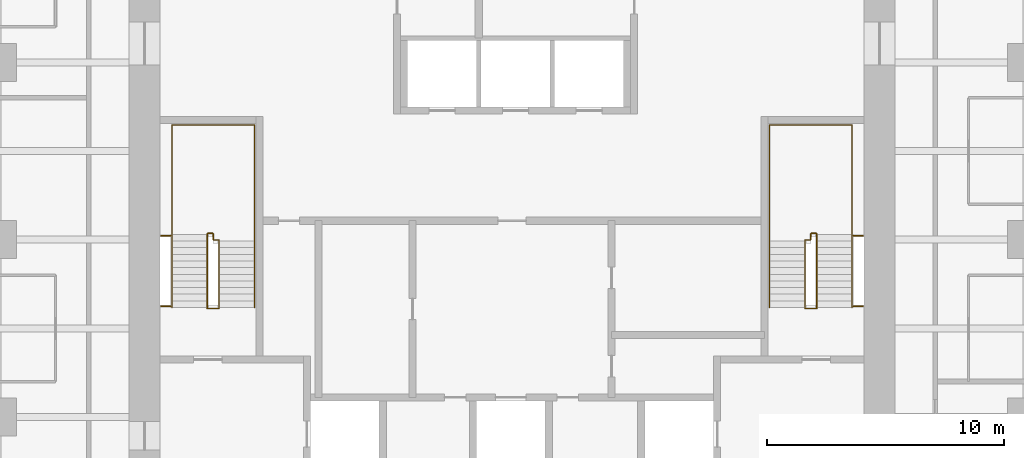
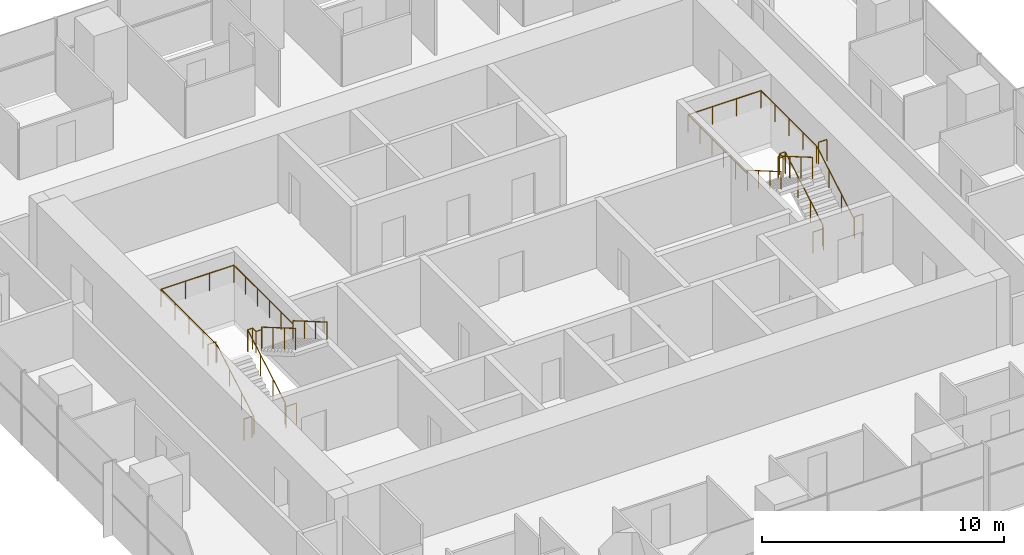
# One storey, part 13 of 13: 8 railings.
"""IFC4 building model written with IfcOpenShell, lengths in metres."""

from ifc_helpers import new_model, si_unit, direction, frame, origin, origin_2d, place, context, subcontext, project, spatial, circle, extrude, material, type_object, element, save


model = new_model("IFC4")

# Units and contexts
model_context = context("Model", 3, precision=1e-05, world=origin(), true_north=direction((0.0, 1.0)))
body_context = subcontext(model_context, "Body", "Model", "MODEL_VIEW")
ifc_project = project(units=[si_unit("LENGTHUNIT", "METRE"), si_unit("AREAUNIT", "SQUARE_METRE"), si_unit("VOLUMEUNIT", "CUBIC_METRE"), si_unit("PLANEANGLEUNIT", "RADIAN"), si_unit("MASSUNIT", "GRAM", prefix="KILO")], contexts=[model_context])

# Site, building, storey
site_placement = place(None, origin())
site = spatial("IfcSite", under=ifc_project, at=site_placement, CompositionType="ELEMENT")
building_placement = place(site_placement, origin())
building = spatial("IfcBuilding", under=site, at=building_placement, Name="Khuree Lantern Residences", CompositionType="ELEMENT")
storey_placement = place(building_placement, frame((0.0, 0.0, 349.5)))
storey = spatial("IfcBuildingStorey", under=building, at=storey_placement, Name="L88", CompositionType="ELEMENT", Elevation=349.5)

# Railings
ifc_material = material(Name="Steel S355", Category="steel")
railing_type_1 = type_object("IfcRailingType", Name="STAIR GUARD G1 1100", PredefinedType="GUARDRAIL", material=ifc_material)
railing_1_placement = place(storey_placement, frame((-12.35009765625, -2.909912109375, 0.0)))
element("IfcRailing", 1, at=railing_1_placement, inside=storey, type_object=railing_type_1, Name="Stair ST1 guard", PredefinedType="GUARDRAIL", context=body_context, shape_type="SweptSolid", body=[
    extrude(circle(Radius=0.02392578125, at=origin_2d()), frame((0.0, 0.0, 1.076171875), z_axis=(-1.0, 0.0, 0.0), x_axis=(0.0, -1.0, 0.0)), (0.0, 0.0, 1.0), 0.5),
    extrude(circle(Radius=0.02392578125, at=origin_2d()), frame((-0.5, 0.0, 1.076171875), z_axis=(0.0, 0.292073035251, 0.95639601739), x_axis=(-1.0, 0.0, 0.0)), (0.0, 0.0, 1.0), 0.17041015625),
    extrude(circle(Radius=0.02392578125, at=origin_2d()), frame((-0.5, 0.0498046875, 1.2392578125), z_axis=(0.0, 0.864176135923, 0.503189433615), x_axis=(-1.0, 0.0, 0.0)), (0.0, 0.0, 1.0), 3.564208984375),
    extrude(circle(Radius=0.02392578125, at=origin_2d()), frame((-0.5, 3.1298828125, 3.03271484375), z_axis=(0.0, 1.0, 0.0), x_axis=(-1.0, 0.0, 0.0)), (0.0, 0.0, 1.0), 0.050048828125),
    extrude(circle(Radius=0.02392578125, at=origin_2d()), frame((-0.5, 3.179931640625, 3.03271484375), z_axis=(1.0, 0.0, 0.0), x_axis=(0.0, 1.0, 0.0)), (0.0, 0.0, 1.0), 0.25),
    extrude(circle(Radius=0.02392578125, at=origin_2d()), frame((-0.25, 3.179931640625, 3.03271484375), z_axis=(0.0, -1.0, 0.0), x_axis=(1.0, 0.0, 0.0)), (0.0, 0.0, 1.0), 0.280029296875),
    extrude(circle(Radius=0.02392578125, at=origin_2d()), frame((-0.25, 2.89990234375, 3.03271484375), z_axis=(1.0, 0.0, 0.0), x_axis=(0.0, 1.0, 0.0)), (0.0, 0.0, 1.0), 0.25),
    extrude(circle(Radius=0.02392578125, at=origin_2d()), frame((0.0, 2.89990234375, 3.03271484375), z_axis=(0.0, -0.293381807449, 0.955995353053), x_axis=(1.0, 0.0, 0.0)), (0.0, 0.0, 1.0), 0.170654296875),
    extrude(circle(Radius=0.02392578125, at=origin_2d()), frame((0.0, 2.849853515625, 3.19580078125), z_axis=(0.0, -0.864180358799, 0.503182181189), x_axis=(1.0, 0.0, 0.0)), (0.0, 0.0, 1.0), 3.240234375),
    extrude(circle(Radius=0.02099609375, at=origin_2d()), origin(), (0.0, 0.0, 1.0), 1.052001953125),
    extrude(circle(Radius=0.02099609375, at=origin_2d()), frame((-0.5, 0.0, 0.0)), (0.0, 0.0, 1.0), 1.052001953125),
    extrude(circle(Radius=0.02099609375, at=origin_2d()), frame((-0.5, 0.0498046875, 0.1630859375)), (0.0, 0.0, 1.0), 1.052001953125),
    extrude(circle(Radius=0.02099609375, at=origin_2d()), frame((-0.5, 1.076416015625, 0.760986328125)), (0.0, 0.0, 1.0), 1.052001953125),
    extrude(circle(Radius=0.02099609375, at=origin_2d()), frame((-0.5, 2.103271484375, 1.358642578125)), (0.0, 0.0, 1.0), 1.052001953125),
    extrude(circle(Radius=0.02099609375, at=origin_2d()), frame((-0.5, 3.1298828125, 1.95654296875)), (0.0, 0.0, 1.0), 1.052001953125),
    extrude(circle(Radius=0.02099609375, at=origin_2d()), frame((-0.5, 3.179931640625, 1.95654296875)), (0.0, 0.0, 1.0), 1.052001953125),
    extrude(circle(Radius=0.02099609375, at=origin_2d()), frame((-0.25, 3.179931640625, 1.95654296875)), (0.0, 0.0, 1.0), 1.052001953125),
    extrude(circle(Radius=0.02099609375, at=origin_2d()), frame((-0.25, 2.89990234375, 1.95654296875)), (0.0, 0.0, 1.0), 1.052001953125),
    extrude(circle(Radius=0.02099609375, at=origin_2d()), frame((0.0, 2.89990234375, 1.95654296875)), (0.0, 0.0, 1.0), 1.052001953125),
    extrude(circle(Radius=0.02099609375, at=origin_2d()), frame((0.0, 2.849853515625, 2.11962890625)), (0.0, 0.0, 1.0), 1.052001953125),
    extrude(circle(Radius=0.02099609375, at=origin_2d()), frame((0.0, 1.91650390625, 2.6630859375)), (0.0, 0.0, 1.0), 1.052001953125),
    extrude(circle(Radius=0.02099609375, at=origin_2d()), frame((0.0, 0.983154296875, 3.20654296875)), (0.0, 0.0, 1.0), 1.052001953125),
    extrude(circle(Radius=0.02099609375, at=origin_2d()), frame((0.0, 0.0498046875, 3.75)), (0.0, 0.0, 1.0), 1.052001953125),
])
for number, where, name in (
    (2, (-14.800048828125, -2.81005859375, 0.0), "Stair ST1 landing slot guard"),
    (3, (-14.800048828125, 0.169921875, 1.95654296875), "Stair ST1 landing slot guard"),
):
    element("IfcRailing", number, at=place(storey_placement, frame(where)), inside=storey, type_object=railing_type_1, Name=name, PredefinedType="GUARDRAIL", context=body_context, shape_type="SweptSolid", body=[
        extrude(circle(Radius=0.02392578125, at=origin_2d()), frame((0.0, 0.0, 1.076171875), z_axis=(1.0, 0.0, 0.0), x_axis=(0.0, 1.0, 0.0)), (0.0, 0.0, 1.0), 0.400146484375),
        extrude(circle(Radius=0.02099609375, at=origin_2d()), origin(), (0.0, 0.0, 1.0), 1.052001953125),
        extrude(circle(Radius=0.02099609375, at=origin_2d()), frame((0.400146484375, 0.0, 0.0)), (0.0, 0.0, 1.0), 1.052001953125),
    ])
railing_2_placement = place(storey_placement, frame((12.35009765625, -2.909912109375, 0.0)))
element("IfcRailing", 4, at=railing_2_placement, inside=storey, type_object=railing_type_1, Name="Stair ST2 guard", PredefinedType="GUARDRAIL", context=body_context, shape_type="SweptSolid", body=[
    extrude(circle(Radius=0.02392578125, at=origin_2d()), frame((0.0, 0.0, 1.076171875), z_axis=(1.0, 0.0, 0.0), x_axis=(0.0, 1.0, 0.0)), (0.0, 0.0, 1.0), 0.5),
    extrude(circle(Radius=0.02392578125, at=origin_2d()), frame((0.5, 0.0, 1.076171875), z_axis=(0.0, 0.292073035251, 0.95639601739), x_axis=(-1.0, 0.0, 0.0)), (0.0, 0.0, 1.0), 0.17041015625),
    extrude(circle(Radius=0.02392578125, at=origin_2d()), frame((0.5, 0.0498046875, 1.2392578125), z_axis=(0.0, 0.864176135923, 0.503189433615), x_axis=(-1.0, 0.0, 0.0)), (0.0, 0.0, 1.0), 3.564208984375),
    extrude(circle(Radius=0.02392578125, at=origin_2d()), frame((0.5, 3.1298828125, 3.03271484375), z_axis=(0.0, 1.0, 0.0), x_axis=(-1.0, 0.0, 0.0)), (0.0, 0.0, 1.0), 0.050048828125),
    extrude(circle(Radius=0.02392578125, at=origin_2d()), frame((0.5, 3.179931640625, 3.03271484375), z_axis=(-1.0, 0.0, 0.0), x_axis=(0.0, -1.0, 0.0)), (0.0, 0.0, 1.0), 0.25),
    extrude(circle(Radius=0.02392578125, at=origin_2d()), frame((0.25, 3.179931640625, 3.03271484375), z_axis=(0.0, -1.0, 0.0), x_axis=(1.0, 0.0, 0.0)), (0.0, 0.0, 1.0), 0.280029296875),
    extrude(circle(Radius=0.02392578125, at=origin_2d()), frame((0.25, 2.89990234375, 3.03271484375), z_axis=(-1.0, 0.0, 0.0), x_axis=(0.0, -1.0, 0.0)), (0.0, 0.0, 1.0), 0.25),
    extrude(circle(Radius=0.02392578125, at=origin_2d()), frame((0.0, 2.89990234375, 3.03271484375), z_axis=(0.0, -0.293381807449, 0.955995353053), x_axis=(1.0, 0.0, 0.0)), (0.0, 0.0, 1.0), 0.170654296875),
    extrude(circle(Radius=0.02392578125, at=origin_2d()), frame((0.0, 2.849853515625, 3.19580078125), z_axis=(0.0, -0.864180358799, 0.503182181189), x_axis=(1.0, 0.0, 0.0)), (0.0, 0.0, 1.0), 3.240234375),
    extrude(circle(Radius=0.02099609375, at=origin_2d()), origin(), (0.0, 0.0, 1.0), 1.052001953125),
    extrude(circle(Radius=0.02099609375, at=origin_2d()), frame((0.5, 0.0, 0.0)), (0.0, 0.0, 1.0), 1.052001953125),
    extrude(circle(Radius=0.02099609375, at=origin_2d()), frame((0.5, 0.0498046875, 0.1630859375)), (0.0, 0.0, 1.0), 1.052001953125),
    extrude(circle(Radius=0.02099609375, at=origin_2d()), frame((0.5, 1.076416015625, 0.760986328125)), (0.0, 0.0, 1.0), 1.052001953125),
    extrude(circle(Radius=0.02099609375, at=origin_2d()), frame((0.5, 2.103271484375, 1.358642578125)), (0.0, 0.0, 1.0), 1.052001953125),
    extrude(circle(Radius=0.02099609375, at=origin_2d()), frame((0.5, 3.1298828125, 1.95654296875)), (0.0, 0.0, 1.0), 1.052001953125),
    extrude(circle(Radius=0.02099609375, at=origin_2d()), frame((0.5, 3.179931640625, 1.95654296875)), (0.0, 0.0, 1.0), 1.052001953125),
    extrude(circle(Radius=0.02099609375, at=origin_2d()), frame((0.25, 3.179931640625, 1.95654296875)), (0.0, 0.0, 1.0), 1.052001953125),
    extrude(circle(Radius=0.02099609375, at=origin_2d()), frame((0.25, 2.89990234375, 1.95654296875)), (0.0, 0.0, 1.0), 1.052001953125),
    extrude(circle(Radius=0.02099609375, at=origin_2d()), frame((0.0, 2.89990234375, 1.95654296875)), (0.0, 0.0, 1.0), 1.052001953125),
    extrude(circle(Radius=0.02099609375, at=origin_2d()), frame((0.0, 2.849853515625, 2.11962890625)), (0.0, 0.0, 1.0), 1.052001953125),
    extrude(circle(Radius=0.02099609375, at=origin_2d()), frame((0.0, 1.91650390625, 2.6630859375)), (0.0, 0.0, 1.0), 1.052001953125),
    extrude(circle(Radius=0.02099609375, at=origin_2d()), frame((0.0, 0.983154296875, 3.20654296875)), (0.0, 0.0, 1.0), 1.052001953125),
    extrude(circle(Radius=0.02099609375, at=origin_2d()), frame((0.0, 0.0498046875, 3.75)), (0.0, 0.0, 1.0), 1.052001953125),
])
for number, where, name in (
    (5, (14.800048828125, -2.81005859375, 0.0), "Stair ST2 landing slot guard"),
    (6, (14.800048828125, 0.169921875, 1.95654296875), "Stair ST2 landing slot guard"),
):
    element("IfcRailing", number, at=place(storey_placement, frame(where)), inside=storey, type_object=railing_type_1, Name=name, PredefinedType="GUARDRAIL", context=body_context, shape_type="SweptSolid", body=[
        extrude(circle(Radius=0.02392578125, at=origin_2d()), frame((0.0, 0.0, 1.076171875), z_axis=(-1.0, 0.0, 0.0), x_axis=(0.0, -1.0, 0.0)), (0.0, 0.0, 1.0), 0.400146484375),
        extrude(circle(Radius=0.02099609375, at=origin_2d()), origin(), (0.0, 0.0, 1.0), 1.052001953125),
        extrude(circle(Radius=0.02099609375, at=origin_2d()), frame((-0.400146484375, 0.0, 0.0)), (0.0, 0.0, 1.0), 1.052001953125),
    ])
railing_type_2 = type_object("IfcRailingType", Name="STAIR HANDRAIL H1 900", PredefinedType="HANDRAIL", material=ifc_material)
railing_3_placement = place(storey_placement, frame((-14.340087890625, -2.860107421875, 0.1630859375)))
element("IfcRailing", 7, at=railing_3_placement, inside=storey, type_object=railing_type_2, Name="Stair ST1 handrail", PredefinedType="HANDRAIL", context=body_context, shape_type="SweptSolid", body=[
    extrude(circle(Radius=0.02392578125, at=origin_2d()), frame((0.0, 0.0, 0.8759765625), z_axis=(0.0, 0.864176135923, 0.503189433615), x_axis=(-1.0, 0.0, 0.0)), (0.0, 0.0, 1.0), 3.564208984375),
    extrude(circle(Radius=0.02392578125, at=origin_2d()), frame((0.0, 3.080078125, 2.66943359375), z_axis=(0.0, 1.0, 0.0), x_axis=(-1.0, 0.0, 0.0)), (0.0, 0.0, 1.0), 4.6201171875),
    extrude(circle(Radius=0.02392578125, at=origin_2d()), frame((0.0, 7.7001953125, 2.66943359375), z_axis=(1.0, 0.0, 0.0), x_axis=(0.0, 1.0, 0.0)), (0.0, 0.0, 1.0), 3.47998046875),
    extrude(circle(Radius=0.02392578125, at=origin_2d()), frame((3.47998046875, 7.7001953125, 2.66943359375), z_axis=(0.0, -1.0, 0.0), x_axis=(1.0, 0.0, 0.0)), (0.0, 0.0, 1.0), 4.900146484375),
    extrude(circle(Radius=0.02392578125, at=origin_2d()), frame((3.47998046875, 2.800048828125, 2.66943359375), z_axis=(0.0, 0.0, 1.0), x_axis=(1.0, 0.0, 0.0)), (0.0, 0.0, 1.0), 0.1630859375),
    extrude(circle(Radius=0.02392578125, at=origin_2d()), frame((3.47998046875, 2.800048828125, 2.83251953125), z_axis=(0.0, -0.864180358799, 0.503182181189), x_axis=(1.0, 0.0, 0.0)), (0.0, 0.0, 1.0), 3.240234375),
    extrude(circle(Radius=0.02099609375, at=origin_2d()), origin(), (0.0, 0.0, 1.0), 0.851806640625),
    extrude(circle(Radius=0.02099609375, at=origin_2d()), frame((0.0, 1.026611328125, 0.597900390625)), (0.0, 0.0, 1.0), 0.851806640625),
    extrude(circle(Radius=0.02099609375, at=origin_2d()), frame((0.0, 2.053466796875, 1.195556640625)), (0.0, 0.0, 1.0), 0.851806640625),
    extrude(circle(Radius=0.02099609375, at=origin_2d()), frame((0.0, 3.080078125, 1.79345703125)), (0.0, 0.0, 1.0), 0.851806640625),
    extrude(circle(Radius=0.02099609375, at=origin_2d()), frame((0.0, 4.235107421875, 1.79345703125)), (0.0, 0.0, 1.0), 0.851806640625),
    extrude(circle(Radius=0.02099609375, at=origin_2d()), frame((0.0, 5.39013671875, 1.79345703125)), (0.0, 0.0, 1.0), 0.851806640625),
    extrude(circle(Radius=0.02099609375, at=origin_2d()), frame((0.0, 6.545166015625, 1.79345703125)), (0.0, 0.0, 1.0), 0.851806640625),
    extrude(circle(Radius=0.02099609375, at=origin_2d()), frame((0.0, 7.7001953125, 1.79345703125)), (0.0, 0.0, 1.0), 0.851806640625),
    extrude(circle(Radius=0.02099609375, at=origin_2d()), frame((1.159912109375, 7.7001953125, 1.79345703125)), (0.0, 0.0, 1.0), 0.851806640625),
    extrude(circle(Radius=0.02099609375, at=origin_2d()), frame((2.320068359375, 7.7001953125, 1.79345703125)), (0.0, 0.0, 1.0), 0.851806640625),
    extrude(circle(Radius=0.02099609375, at=origin_2d()), frame((3.47998046875, 7.7001953125, 1.79345703125)), (0.0, 0.0, 1.0), 0.851806640625),
    extrude(circle(Radius=0.02099609375, at=origin_2d()), frame((3.47998046875, 6.72021484375, 1.79345703125)), (0.0, 0.0, 1.0), 0.851806640625),
    extrude(circle(Radius=0.02099609375, at=origin_2d()), frame((3.47998046875, 5.740234375, 1.79345703125)), (0.0, 0.0, 1.0), 0.851806640625),
    extrude(circle(Radius=0.02099609375, at=origin_2d()), frame((3.47998046875, 4.760009765625, 1.79345703125)), (0.0, 0.0, 1.0), 0.851806640625),
    extrude(circle(Radius=0.02099609375, at=origin_2d()), frame((3.47998046875, 3.780029296875, 1.79345703125)), (0.0, 0.0, 1.0), 0.851806640625),
    extrude(circle(Radius=0.02099609375, at=origin_2d()), frame((3.47998046875, 2.800048828125, 1.79345703125)), (0.0, 0.0, 1.0), 0.851806640625),
    extrude(circle(Radius=0.02099609375, at=origin_2d()), frame((3.47998046875, 2.800048828125, 1.95654296875)), (0.0, 0.0, 1.0), 0.851806640625),
    extrude(circle(Radius=0.02099609375, at=origin_2d()), frame((3.47998046875, 1.86669921875, 2.5)), (0.0, 0.0, 1.0), 0.851806640625),
    extrude(circle(Radius=0.02099609375, at=origin_2d()), frame((3.47998046875, 0.933349609375, 3.04345703125)), (0.0, 0.0, 1.0), 0.851806640625),
    extrude(circle(Radius=0.02099609375, at=origin_2d()), frame((3.47998046875, 0.0, 3.5869140625)), (0.0, 0.0, 1.0), 0.851806640625),
])
railing_4_placement = place(storey_placement, frame((14.340087890625, -2.860107421875, 0.1630859375)))
element("IfcRailing", 8, at=railing_4_placement, inside=storey, type_object=railing_type_2, Name="Stair ST2 handrail", PredefinedType="HANDRAIL", context=body_context, shape_type="SweptSolid", body=[
    extrude(circle(Radius=0.02392578125, at=origin_2d()), frame((0.0, 0.0, 0.8759765625), z_axis=(0.0, 0.864176135923, 0.503189433615), x_axis=(-1.0, 0.0, 0.0)), (0.0, 0.0, 1.0), 3.564208984375),
    extrude(circle(Radius=0.02392578125, at=origin_2d()), frame((0.0, 3.080078125, 2.66943359375), z_axis=(0.0, 1.0, 0.0), x_axis=(-1.0, 0.0, 0.0)), (0.0, 0.0, 1.0), 4.6201171875),
    extrude(circle(Radius=0.02392578125, at=origin_2d()), frame((0.0, 7.7001953125, 2.66943359375), z_axis=(-1.0, 0.0, 0.0), x_axis=(0.0, -1.0, 0.0)), (0.0, 0.0, 1.0), 3.47998046875),
    extrude(circle(Radius=0.02392578125, at=origin_2d()), frame((-3.47998046875, 7.7001953125, 2.66943359375), z_axis=(0.0, -1.0, 0.0), x_axis=(1.0, 0.0, 0.0)), (0.0, 0.0, 1.0), 4.900146484375),
    extrude(circle(Radius=0.02392578125, at=origin_2d()), frame((-3.47998046875, 2.800048828125, 2.66943359375), z_axis=(0.0, 0.0, 1.0), x_axis=(1.0, 0.0, 0.0)), (0.0, 0.0, 1.0), 0.1630859375),
    extrude(circle(Radius=0.02392578125, at=origin_2d()), frame((-3.47998046875, 2.800048828125, 2.83251953125), z_axis=(0.0, -0.864180358799, 0.503182181189), x_axis=(1.0, 0.0, 0.0)), (0.0, 0.0, 1.0), 3.240234375),
    extrude(circle(Radius=0.02099609375, at=origin_2d()), origin(), (0.0, 0.0, 1.0), 0.851806640625),
    extrude(circle(Radius=0.02099609375, at=origin_2d()), frame((0.0, 1.026611328125, 0.597900390625)), (0.0, 0.0, 1.0), 0.851806640625),
    extrude(circle(Radius=0.02099609375, at=origin_2d()), frame((0.0, 2.053466796875, 1.195556640625)), (0.0, 0.0, 1.0), 0.851806640625),
    extrude(circle(Radius=0.02099609375, at=origin_2d()), frame((0.0, 3.080078125, 1.79345703125)), (0.0, 0.0, 1.0), 0.851806640625),
    extrude(circle(Radius=0.02099609375, at=origin_2d()), frame((0.0, 4.235107421875, 1.79345703125)), (0.0, 0.0, 1.0), 0.851806640625),
    extrude(circle(Radius=0.02099609375, at=origin_2d()), frame((0.0, 5.39013671875, 1.79345703125)), (0.0, 0.0, 1.0), 0.851806640625),
    extrude(circle(Radius=0.02099609375, at=origin_2d()), frame((0.0, 6.545166015625, 1.79345703125)), (0.0, 0.0, 1.0), 0.851806640625),
    extrude(circle(Radius=0.02099609375, at=origin_2d()), frame((0.0, 7.7001953125, 1.79345703125)), (0.0, 0.0, 1.0), 0.851806640625),
    extrude(circle(Radius=0.02099609375, at=origin_2d()), frame((-1.159912109375, 7.7001953125, 1.79345703125)), (0.0, 0.0, 1.0), 0.851806640625),
    extrude(circle(Radius=0.02099609375, at=origin_2d()), frame((-2.320068359375, 7.7001953125, 1.79345703125)), (0.0, 0.0, 1.0), 0.851806640625),
    extrude(circle(Radius=0.02099609375, at=origin_2d()), frame((-3.47998046875, 7.7001953125, 1.79345703125)), (0.0, 0.0, 1.0), 0.851806640625),
    extrude(circle(Radius=0.02099609375, at=origin_2d()), frame((-3.47998046875, 6.72021484375, 1.79345703125)), (0.0, 0.0, 1.0), 0.851806640625),
    extrude(circle(Radius=0.02099609375, at=origin_2d()), frame((-3.47998046875, 5.740234375, 1.79345703125)), (0.0, 0.0, 1.0), 0.851806640625),
    extrude(circle(Radius=0.02099609375, at=origin_2d()), frame((-3.47998046875, 4.760009765625, 1.79345703125)), (0.0, 0.0, 1.0), 0.851806640625),
    extrude(circle(Radius=0.02099609375, at=origin_2d()), frame((-3.47998046875, 3.780029296875, 1.79345703125)), (0.0, 0.0, 1.0), 0.851806640625),
    extrude(circle(Radius=0.02099609375, at=origin_2d()), frame((-3.47998046875, 2.800048828125, 1.79345703125)), (0.0, 0.0, 1.0), 0.851806640625),
    extrude(circle(Radius=0.02099609375, at=origin_2d()), frame((-3.47998046875, 2.800048828125, 1.95654296875)), (0.0, 0.0, 1.0), 0.851806640625),
    extrude(circle(Radius=0.02099609375, at=origin_2d()), frame((-3.47998046875, 1.86669921875, 2.5)), (0.0, 0.0, 1.0), 0.851806640625),
    extrude(circle(Radius=0.02099609375, at=origin_2d()), frame((-3.47998046875, 0.933349609375, 3.04345703125)), (0.0, 0.0, 1.0), 0.851806640625),
    extrude(circle(Radius=0.02099609375, at=origin_2d()), frame((-3.47998046875, 0.0, 3.5869140625)), (0.0, 0.0, 1.0), 0.851806640625),
])

save(model, "model.ifc")
